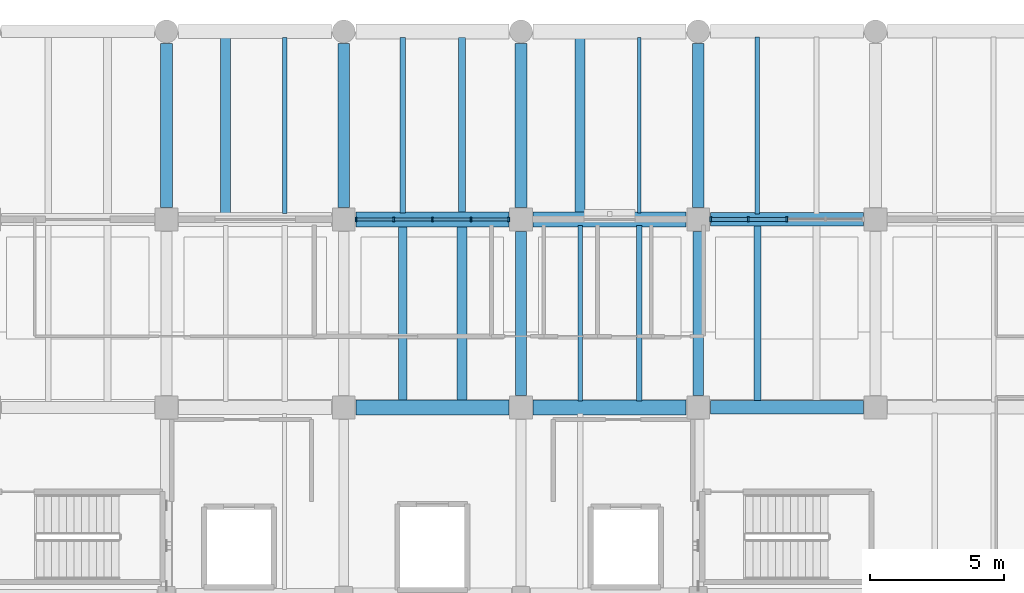
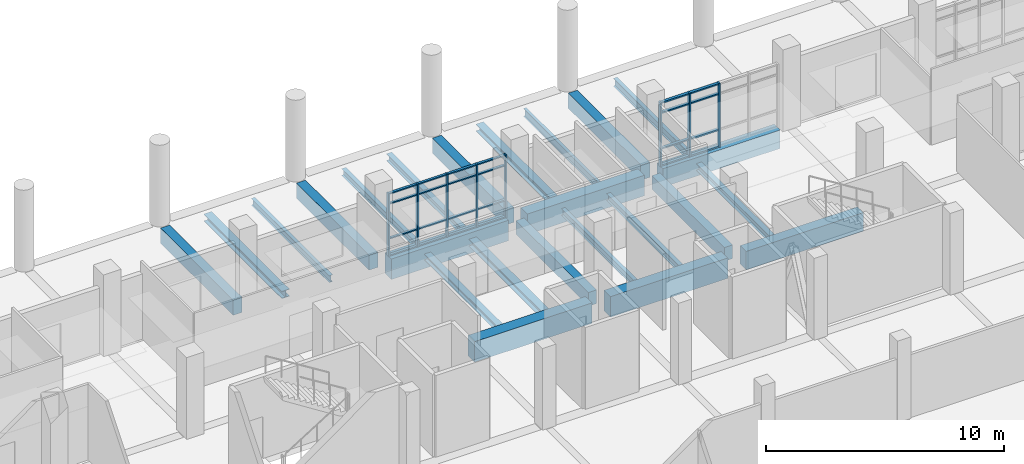
# One storey, part 29 of 69: 32 members, 24 beams, 2 elements without a shape of their own.
"""IFC4 building model written with IfcOpenShell, lengths in metres."""

from ifc_helpers import new_model, si_unit, direction, frame, origin, origin_2d, place, context, subcontext, project, spatial, rectangle, i_section, extrude, material, material_profile, profile_set, type_object, element, aggregate, save


model = new_model("IFC4")

# Units and contexts
model_context = context("Model", 3, precision=1e-05, world=origin(), true_north=direction((0.0, 1.0)))
body_context = subcontext(model_context, "Body", "Model", "MODEL_VIEW")
ifc_project = project(units=[si_unit("LENGTHUNIT", "METRE"), si_unit("AREAUNIT", "SQUARE_METRE"), si_unit("VOLUMEUNIT", "CUBIC_METRE"), si_unit("PLANEANGLEUNIT", "RADIAN"), si_unit("MASSUNIT", "GRAM", prefix="KILO")], contexts=[model_context])

# Site, building, storey
site_placement = place(None, origin())
site = spatial("IfcSite", under=ifc_project, at=site_placement, CompositionType="ELEMENT")
building_placement = place(site_placement, origin())
building = spatial("IfcBuilding", under=site, at=building_placement, Name="Ciguamira Faculty of Natural Sciences", CompositionType="ELEMENT")
storey_placement = place(building_placement, origin())
storey = spatial("IfcBuildingStorey", under=building, at=storey_placement, Name="L00", CompositionType="ELEMENT", Elevation=0.0)

# Curtain wall, members
ifc_material_1 = material(Name="Anodized aluminium curtain wall", Category="aluminium")
curtain_wall_type_1 = type_object("IfcCurtainWallType", Name="CurtainWall_CW-07", PredefinedType="USERDEFINED", material=ifc_material_1)
curtain_wall_1_placement = place(storey_placement, origin())
curtain_wall_1 = element("IfcCurtainWall", 1, at=curtain_wall_1_placement, inside=storey, type_object=curtain_wall_type_1, Name="L00 unitised curtain wall 0019", ObjectType="UNITISED CURTAIN WALL", PredefinedType="USERDEFINED")
ifc_material_2 = material(Name="Anodized aluminium mullion", Category="aluminium")
ifc_material_profile_1 = material_profile(ifc_material_2, rectangle(XDim=0.06005859375, YDim=0.159912109375, at=origin_2d()), Name="ALU-MUL-60X160")
ifc_profile_set_1 = profile_set([ifc_material_profile_1], Name="Anodized aluminium mullion")
member_type_1 = type_object("IfcMemberType", Name="CWMullion_CWM-01", PredefinedType="MULLION", material=ifc_profile_set_1)
member_1_placement = place(storey_placement, frame((84.155029296875, 108.0, 0.0), z_axis=(0.0, 0.0, 1.0), x_axis=(1.0, 0.0, 0.0)))
member_1 = element("IfcMember", 2, at=member_1_placement, type_object=member_type_1, Name="CW-07 mullion 1", PredefinedType="MULLION", context=body_context, shape_type="SweptSolid", body=[
    extrude(rectangle(XDim=0.06005859375, YDim=0.159912109375, at=origin_2d()), origin(), (0.0, 0.0, 1.0), 3.235107421875),
])
member_2_placement = place(storey_placement, frame((85.5625, 108.0, 0.0), z_axis=(0.0, 0.0, 1.0), x_axis=(1.0, 0.0, 0.0)))
member_2 = element("IfcMember", 3, at=member_2_placement, type_object=member_type_1, Name="CW-07 mullion 2", PredefinedType="MULLION", context=body_context, shape_type="SweptSolid", body=[
    extrude(rectangle(XDim=0.06005859375, YDim=0.159912109375, at=origin_2d()), origin(), (0.0, 0.0, 1.0), 3.235107421875),
])
member_3_placement = place(storey_placement, frame((87.0, 108.0, 0.0), z_axis=(0.0, 0.0, 1.0), x_axis=(1.0, 0.0, 0.0)))
member_3 = element("IfcMember", 4, at=member_3_placement, type_object=member_type_1, Name="CW-07 mullion 3", PredefinedType="MULLION", context=body_context, shape_type="SweptSolid", body=[
    extrude(rectangle(XDim=0.06005859375, YDim=0.159912109375, at=origin_2d()), origin(), (0.0, 0.0, 1.0), 3.235107421875),
])
member_4_placement = place(storey_placement, frame((88.4375, 108.0, 0.0), z_axis=(0.0, 0.0, 1.0), x_axis=(1.0, 0.0, 0.0)))
member_4 = element("IfcMember", 5, at=member_4_placement, type_object=member_type_1, Name="CW-07 mullion 4", PredefinedType="MULLION", context=body_context, shape_type="SweptSolid", body=[
    extrude(rectangle(XDim=0.06005859375, YDim=0.159912109375, at=origin_2d()), origin(), (0.0, 0.0, 1.0), 3.235107421875),
])
member_5_placement = place(storey_placement, frame((89.844970703125, 108.0, 0.0), z_axis=(0.0, 0.0, 1.0), x_axis=(1.0, 0.0, 0.0)))
member_5 = element("IfcMember", 6, at=member_5_placement, type_object=member_type_1, Name="CW-07 mullion 5", PredefinedType="MULLION", context=body_context, shape_type="SweptSolid", body=[
    extrude(rectangle(XDim=0.06005859375, YDim=0.159912109375, at=origin_2d()), origin(), (0.0, 0.0, 1.0), 3.235107421875),
])

curtain_wall_type_2 = type_object("IfcCurtainWallType", Name="CurtainWall_CW-08", PredefinedType="USERDEFINED", material=ifc_material_1)
curtain_wall_2_placement = place(storey_placement, origin())
curtain_wall_2 = element("IfcCurtainWall", 7, at=curtain_wall_2_placement, inside=storey, type_object=curtain_wall_type_2, Name="L00 unitised curtain wall 0020", ObjectType="UNITISED CURTAIN WALL", PredefinedType="USERDEFINED")
ifc_material_profile_2 = material_profile(ifc_material_2, rectangle(XDim=0.070068359375, YDim=0.179931640625, at=origin_2d()), Name="ALU-MUL-70X180")
ifc_profile_set_2 = profile_set([ifc_material_profile_2], Name="Anodized aluminium mullion")
member_type_2 = type_object("IfcMemberType", Name="CWMullion_CWM-02", PredefinedType="MULLION", material=ifc_profile_set_2)
member_6_placement = place(storey_placement, frame((97.360107421875, 108.0, 0.0), z_axis=(0.0, 0.0, 1.0), x_axis=(1.0, 0.0, 0.0)))
member_6 = element("IfcMember", 8, at=member_6_placement, type_object=member_type_2, Name="CW-08 mullion 1", PredefinedType="MULLION", context=body_context, shape_type="SweptSolid", body=[
    extrude(rectangle(XDim=0.070068359375, YDim=0.179931640625, at=origin_2d()), origin(), (0.0, 0.0, 1.0), 3.284912109375),
])
member_7_placement = place(storey_placement, frame((98.762451171875, 108.0, 0.0), z_axis=(0.0, 0.0, 1.0), x_axis=(1.0, 0.0, 0.0)))
member_7 = element("IfcMember", 9, at=member_7_placement, type_object=member_type_2, Name="CW-08 mullion 2", PredefinedType="MULLION", context=body_context, shape_type="SweptSolid", body=[
    extrude(rectangle(XDim=0.070068359375, YDim=0.179931640625, at=origin_2d()), origin(), (0.0, 0.0, 1.0), 3.284912109375),
])
member_8_placement = place(storey_placement, frame((100.199951171875, 108.0, 0.0), z_axis=(0.0, 0.0, 1.0), x_axis=(1.0, 0.0, 0.0)))
member_8 = element("IfcMember", 10, at=member_8_placement, type_object=member_type_2, Name="CW-08 mullion 3", PredefinedType="MULLION", context=body_context, shape_type="SweptSolid", body=[
    extrude(rectangle(XDim=0.070068359375, YDim=0.179931640625, at=origin_2d()), origin(), (0.0, 0.0, 1.0), 3.284912109375),
])

# Member
ifc_material_3 = material(Name="Anodized aluminium transom", Category="aluminium")
ifc_material_profile_3 = material_profile(ifc_material_3, rectangle(XDim=0.06005859375, YDim=0.1201171875, at=origin_2d()), Name="ALU-TRN-60X120")
ifc_profile_set_3 = profile_set([ifc_material_profile_3], Name="Anodized aluminium transom")
member_type_3 = type_object("IfcMemberType", Name="CWTransom_CWT-01", PredefinedType="USERDEFINED", material=ifc_profile_set_3)
member_9_placement = place(storey_placement, frame((84.18505859375, 108.0, 0.030029296875), z_axis=(1.0, 0.0, 0.0), x_axis=(0.0, 0.0, 1.0)))
member_9 = element("IfcMember", 11, at=member_9_placement, type_object=member_type_3, Name="CW-07 transom 1.1", ObjectType="TRANSOM", PredefinedType="USERDEFINED", context=body_context, shape_type="SweptSolid", body=[
    extrude(rectangle(XDim=0.06005859375, YDim=0.1201171875, at=origin_2d()), origin(), (0.0, 0.0, 1.0), 1.347412109375),
])

member_10_placement = place(storey_placement, frame((84.18505859375, 108.0, 0.89990234375), z_axis=(1.0, 0.0, 0.0), x_axis=(0.0, 0.0, 1.0)))
member_10 = element("IfcMember", 12, at=member_10_placement, type_object=member_type_3, Name="CW-07 transom 1.2", ObjectType="TRANSOM", PredefinedType="USERDEFINED", context=body_context, shape_type="SweptSolid", body=[
    extrude(rectangle(XDim=0.06005859375, YDim=0.1201171875, at=origin_2d()), origin(), (0.0, 0.0, 1.0), 1.347412109375),
])

member_11_placement = place(storey_placement, frame((84.18505859375, 108.0, 2.68505859375), z_axis=(1.0, 0.0, 0.0), x_axis=(0.0, 0.0, 1.0)))
member_11 = element("IfcMember", 13, at=member_11_placement, type_object=member_type_3, Name="CW-07 transom 1.3", ObjectType="TRANSOM", PredefinedType="USERDEFINED", context=body_context, shape_type="SweptSolid", body=[
    extrude(rectangle(XDim=0.06005859375, YDim=0.1201171875, at=origin_2d()), origin(), (0.0, 0.0, 1.0), 1.347412109375),
])

member_12_placement = place(storey_placement, frame((84.18505859375, 108.0, 3.205078125), z_axis=(1.0, 0.0, 0.0), x_axis=(0.0, 0.0, 1.0)))
member_12 = element("IfcMember", 14, at=member_12_placement, type_object=member_type_3, Name="CW-07 transom 1.4", ObjectType="TRANSOM", PredefinedType="USERDEFINED", context=body_context, shape_type="SweptSolid", body=[
    extrude(rectangle(XDim=0.06005859375, YDim=0.1201171875, at=origin_2d()), origin(), (0.0, 0.0, 1.0), 1.347412109375),
])

member_13_placement = place(storey_placement, frame((85.592529296875, 108.0, 0.030029296875), z_axis=(1.0, 0.0, 0.0), x_axis=(0.0, 0.0, 1.0)))
member_13 = element("IfcMember", 15, at=member_13_placement, type_object=member_type_3, Name="CW-07 transom 2.1", ObjectType="TRANSOM", PredefinedType="USERDEFINED", context=body_context, shape_type="SweptSolid", body=[
    extrude(rectangle(XDim=0.06005859375, YDim=0.1201171875, at=origin_2d()), origin(), (0.0, 0.0, 1.0), 1.37744140625),
])

member_14_placement = place(storey_placement, frame((85.592529296875, 108.0, 0.89990234375), z_axis=(1.0, 0.0, 0.0), x_axis=(0.0, 0.0, 1.0)))
member_14 = element("IfcMember", 16, at=member_14_placement, type_object=member_type_3, Name="CW-07 transom 2.2", ObjectType="TRANSOM", PredefinedType="USERDEFINED", context=body_context, shape_type="SweptSolid", body=[
    extrude(rectangle(XDim=0.06005859375, YDim=0.1201171875, at=origin_2d()), origin(), (0.0, 0.0, 1.0), 1.37744140625),
])

member_15_placement = place(storey_placement, frame((85.592529296875, 108.0, 2.68505859375), z_axis=(1.0, 0.0, 0.0), x_axis=(0.0, 0.0, 1.0)))
member_15 = element("IfcMember", 17, at=member_15_placement, type_object=member_type_3, Name="CW-07 transom 2.3", ObjectType="TRANSOM", PredefinedType="USERDEFINED", context=body_context, shape_type="SweptSolid", body=[
    extrude(rectangle(XDim=0.06005859375, YDim=0.1201171875, at=origin_2d()), origin(), (0.0, 0.0, 1.0), 1.37744140625),
])

member_16_placement = place(storey_placement, frame((85.592529296875, 108.0, 3.205078125), z_axis=(1.0, 0.0, 0.0), x_axis=(0.0, 0.0, 1.0)))
member_16 = element("IfcMember", 18, at=member_16_placement, type_object=member_type_3, Name="CW-07 transom 2.4", ObjectType="TRANSOM", PredefinedType="USERDEFINED", context=body_context, shape_type="SweptSolid", body=[
    extrude(rectangle(XDim=0.06005859375, YDim=0.1201171875, at=origin_2d()), origin(), (0.0, 0.0, 1.0), 1.37744140625),
])

member_17_placement = place(storey_placement, frame((87.030029296875, 108.0, 0.030029296875), z_axis=(1.0, 0.0, 0.0), x_axis=(0.0, 0.0, 1.0)))
member_17 = element("IfcMember", 19, at=member_17_placement, type_object=member_type_3, Name="CW-07 transom 3.1", ObjectType="TRANSOM", PredefinedType="USERDEFINED", context=body_context, shape_type="SweptSolid", body=[
    extrude(rectangle(XDim=0.06005859375, YDim=0.1201171875, at=origin_2d()), origin(), (0.0, 0.0, 1.0), 1.37744140625),
])

member_18_placement = place(storey_placement, frame((87.030029296875, 108.0, 0.89990234375), z_axis=(1.0, 0.0, 0.0), x_axis=(0.0, 0.0, 1.0)))
member_18 = element("IfcMember", 20, at=member_18_placement, type_object=member_type_3, Name="CW-07 transom 3.2", ObjectType="TRANSOM", PredefinedType="USERDEFINED", context=body_context, shape_type="SweptSolid", body=[
    extrude(rectangle(XDim=0.06005859375, YDim=0.1201171875, at=origin_2d()), origin(), (0.0, 0.0, 1.0), 1.37744140625),
])

member_19_placement = place(storey_placement, frame((87.030029296875, 108.0, 2.68505859375), z_axis=(1.0, 0.0, 0.0), x_axis=(0.0, 0.0, 1.0)))
member_19 = element("IfcMember", 21, at=member_19_placement, type_object=member_type_3, Name="CW-07 transom 3.3", ObjectType="TRANSOM", PredefinedType="USERDEFINED", context=body_context, shape_type="SweptSolid", body=[
    extrude(rectangle(XDim=0.06005859375, YDim=0.1201171875, at=origin_2d()), origin(), (0.0, 0.0, 1.0), 1.37744140625),
])

member_20_placement = place(storey_placement, frame((87.030029296875, 108.0, 3.205078125), z_axis=(1.0, 0.0, 0.0), x_axis=(0.0, 0.0, 1.0)))
member_20 = element("IfcMember", 22, at=member_20_placement, type_object=member_type_3, Name="CW-07 transom 3.4", ObjectType="TRANSOM", PredefinedType="USERDEFINED", context=body_context, shape_type="SweptSolid", body=[
    extrude(rectangle(XDim=0.06005859375, YDim=0.1201171875, at=origin_2d()), origin(), (0.0, 0.0, 1.0), 1.37744140625),
])

member_21_placement = place(storey_placement, frame((88.467529296875, 108.0, 0.030029296875), z_axis=(1.0, 0.0, 0.0), x_axis=(0.0, 0.0, 1.0)))
member_21 = element("IfcMember", 23, at=member_21_placement, type_object=member_type_3, Name="CW-07 transom 4.1", ObjectType="TRANSOM", PredefinedType="USERDEFINED", context=body_context, shape_type="SweptSolid", body=[
    extrude(rectangle(XDim=0.06005859375, YDim=0.1201171875, at=origin_2d()), origin(), (0.0, 0.0, 1.0), 1.347412109375),
])

member_22_placement = place(storey_placement, frame((88.467529296875, 108.0, 0.89990234375), z_axis=(1.0, 0.0, 0.0), x_axis=(0.0, 0.0, 1.0)))
member_22 = element("IfcMember", 24, at=member_22_placement, type_object=member_type_3, Name="CW-07 transom 4.2", ObjectType="TRANSOM", PredefinedType="USERDEFINED", context=body_context, shape_type="SweptSolid", body=[
    extrude(rectangle(XDim=0.06005859375, YDim=0.1201171875, at=origin_2d()), origin(), (0.0, 0.0, 1.0), 1.347412109375),
])

member_23_placement = place(storey_placement, frame((88.467529296875, 108.0, 2.68505859375), z_axis=(1.0, 0.0, 0.0), x_axis=(0.0, 0.0, 1.0)))
member_23 = element("IfcMember", 25, at=member_23_placement, type_object=member_type_3, Name="CW-07 transom 4.3", ObjectType="TRANSOM", PredefinedType="USERDEFINED", context=body_context, shape_type="SweptSolid", body=[
    extrude(rectangle(XDim=0.06005859375, YDim=0.1201171875, at=origin_2d()), origin(), (0.0, 0.0, 1.0), 1.347412109375),
])

member_24_placement = place(storey_placement, frame((88.467529296875, 108.0, 3.205078125), z_axis=(1.0, 0.0, 0.0), x_axis=(0.0, 0.0, 1.0)))
member_24 = element("IfcMember", 26, at=member_24_placement, type_object=member_type_3, Name="CW-07 transom 4.4", ObjectType="TRANSOM", PredefinedType="USERDEFINED", context=body_context, shape_type="SweptSolid", body=[
    extrude(rectangle(XDim=0.06005859375, YDim=0.1201171875, at=origin_2d()), origin(), (0.0, 0.0, 1.0), 1.347412109375),
])

aggregate(curtain_wall_1, [member_1, member_2, member_3, member_4, member_5, member_9, member_10, member_11, member_12, member_13, member_14, member_15, member_16, member_17, member_18, member_19, member_20, member_21, member_22, member_23, member_24])

ifc_material_profile_4 = material_profile(ifc_material_3, rectangle(XDim=0.070068359375, YDim=0.139892578125, at=origin_2d()), Name="ALU-TRN-70X140")
ifc_profile_set_4 = profile_set([ifc_material_profile_4], Name="Anodized aluminium transom")
member_type_4 = type_object("IfcMemberType", Name="CWTransom_CWT-02", PredefinedType="USERDEFINED", material=ifc_profile_set_4)
member_25_placement = place(storey_placement, frame((97.39501953125, 108.0, 0.034912109375), z_axis=(1.0, 0.0, 0.0), x_axis=(0.0, 0.0, 1.0)))
member_25 = element("IfcMember", 27, at=member_25_placement, type_object=member_type_4, Name="CW-08 transom 1.1", ObjectType="TRANSOM", PredefinedType="USERDEFINED", context=body_context, shape_type="SweptSolid", body=[
    extrude(rectangle(XDim=0.070068359375, YDim=0.139892578125, at=origin_2d()), origin(), (0.0, 0.0, 1.0), 1.33251953125),
])

member_26_placement = place(storey_placement, frame((97.39501953125, 108.0, 0.89990234375), z_axis=(1.0, 0.0, 0.0), x_axis=(0.0, 0.0, 1.0)))
member_26 = element("IfcMember", 28, at=member_26_placement, type_object=member_type_4, Name="CW-08 transom 1.2", ObjectType="TRANSOM", PredefinedType="USERDEFINED", context=body_context, shape_type="SweptSolid", body=[
    extrude(rectangle(XDim=0.070068359375, YDim=0.139892578125, at=origin_2d()), origin(), (0.0, 0.0, 1.0), 1.33251953125),
])

member_27_placement = place(storey_placement, frame((97.39501953125, 108.0, 2.735107421875), z_axis=(1.0, 0.0, 0.0), x_axis=(0.0, 0.0, 1.0)))
member_27 = element("IfcMember", 29, at=member_27_placement, type_object=member_type_4, Name="CW-08 transom 1.3", ObjectType="TRANSOM", PredefinedType="USERDEFINED", context=body_context, shape_type="SweptSolid", body=[
    extrude(rectangle(XDim=0.070068359375, YDim=0.139892578125, at=origin_2d()), origin(), (0.0, 0.0, 1.0), 1.33251953125),
])

member_28_placement = place(storey_placement, frame((97.39501953125, 108.0, 3.25), z_axis=(1.0, 0.0, 0.0), x_axis=(0.0, 0.0, 1.0)))
member_28 = element("IfcMember", 30, at=member_28_placement, type_object=member_type_4, Name="CW-08 transom 1.4", ObjectType="TRANSOM", PredefinedType="USERDEFINED", context=body_context, shape_type="SweptSolid", body=[
    extrude(rectangle(XDim=0.070068359375, YDim=0.139892578125, at=origin_2d()), origin(), (0.0, 0.0, 1.0), 1.33251953125),
])

member_29_placement = place(storey_placement, frame((98.797607421875, 108.0, 0.034912109375), z_axis=(1.0, 0.0, 0.0), x_axis=(0.0, 0.0, 1.0)))
member_29 = element("IfcMember", 31, at=member_29_placement, type_object=member_type_4, Name="CW-08 transom 2.1", ObjectType="TRANSOM", PredefinedType="USERDEFINED", context=body_context, shape_type="SweptSolid", body=[
    extrude(rectangle(XDim=0.070068359375, YDim=0.139892578125, at=origin_2d()), origin(), (0.0, 0.0, 1.0), 1.367431640625),
])

member_30_placement = place(storey_placement, frame((98.797607421875, 108.0, 0.89990234375), z_axis=(1.0, 0.0, 0.0), x_axis=(0.0, 0.0, 1.0)))
member_30 = element("IfcMember", 32, at=member_30_placement, type_object=member_type_4, Name="CW-08 transom 2.2", ObjectType="TRANSOM", PredefinedType="USERDEFINED", context=body_context, shape_type="SweptSolid", body=[
    extrude(rectangle(XDim=0.070068359375, YDim=0.139892578125, at=origin_2d()), origin(), (0.0, 0.0, 1.0), 1.367431640625),
])

member_31_placement = place(storey_placement, frame((98.797607421875, 108.0, 2.735107421875), z_axis=(1.0, 0.0, 0.0), x_axis=(0.0, 0.0, 1.0)))
member_31 = element("IfcMember", 33, at=member_31_placement, type_object=member_type_4, Name="CW-08 transom 2.3", ObjectType="TRANSOM", PredefinedType="USERDEFINED", context=body_context, shape_type="SweptSolid", body=[
    extrude(rectangle(XDim=0.070068359375, YDim=0.139892578125, at=origin_2d()), origin(), (0.0, 0.0, 1.0), 1.367431640625),
])

member_32_placement = place(storey_placement, frame((98.797607421875, 108.0, 3.25), z_axis=(1.0, 0.0, 0.0), x_axis=(0.0, 0.0, 1.0)))
member_32 = element("IfcMember", 34, at=member_32_placement, type_object=member_type_4, Name="CW-08 transom 2.4", ObjectType="TRANSOM", PredefinedType="USERDEFINED", context=body_context, shape_type="SweptSolid", body=[
    extrude(rectangle(XDim=0.070068359375, YDim=0.139892578125, at=origin_2d()), origin(), (0.0, 0.0, 1.0), 1.367431640625),
])

aggregate(curtain_wall_2, [member_6, member_7, member_8, member_25, member_26, member_27, member_28, member_29, member_30, member_31, member_32])

# Beams
ifc_material_4 = material(Name="Concrete C40/50", Category="concrete")
ifc_material_profile_5 = material_profile(ifc_material_4, rectangle(XDim=0.550048828125, YDim=1.050048828125, at=origin_2d()), Name="RC-BM-550X1050")
ifc_profile_set_5 = profile_set([ifc_material_profile_5], Name="Concrete C40/50")
beam_type_1 = type_object("IfcBeamType", Name="RCBeam_BG-01_RC-BM-550X1050", PredefinedType="BEAM", material=ifc_profile_set_5)
beam_1_placement = place(storey_placement, frame((84.14990234375, 101.0, -0.52490234375), z_axis=(1.0, 0.0, 0.0), x_axis=(0.0, 1.0, 0.0)))
element("IfcBeam", 35, at=beam_1_placement, inside=storey, type_object=beam_type_1, Name="L00 RC girder EW-0169", PredefinedType="BEAM", context=body_context, shape_type="SweptSolid", body=[
    extrude(rectangle(XDim=0.550048828125, YDim=1.050048828125, at=origin_2d()), origin(), (0.0, 0.0, 1.0), 5.7001953125),
])
beam_2_placement = place(storey_placement, frame((90.75, 101.0, -0.52490234375), z_axis=(1.0, 0.0, 0.0), x_axis=(0.0, 1.0, 0.0)))
element("IfcBeam", 36, at=beam_2_placement, inside=storey, type_object=beam_type_1, Name="L00 RC girder EW-0170", PredefinedType="BEAM", context=body_context, shape_type="SweptSolid", body=[
    extrude(rectangle(XDim=0.550048828125, YDim=1.050048828125, at=origin_2d()), origin(), (0.0, 0.0, 1.0), 5.699951171875),
])
beam_3_placement = place(storey_placement, frame((84.14990234375, 108.0, -0.52490234375), z_axis=(1.0, 0.0, 0.0), x_axis=(0.0, 1.0, 0.0)))
element("IfcBeam", 37, at=beam_3_placement, inside=storey, type_object=beam_type_1, Name="L00 RC girder EW-0178", PredefinedType="BEAM", context=body_context, shape_type="SweptSolid", body=[
    extrude(rectangle(XDim=0.550048828125, YDim=1.050048828125, at=origin_2d()), origin(), (0.0, 0.0, 1.0), 5.7001953125),
])
beam_4_placement = place(storey_placement, frame((90.75, 108.0, -0.52490234375), z_axis=(1.0, 0.0, 0.0), x_axis=(0.0, 1.0, 0.0)))
element("IfcBeam", 38, at=beam_4_placement, inside=storey, type_object=beam_type_1, Name="L00 RC girder EW-0179", PredefinedType="BEAM", context=body_context, shape_type="SweptSolid", body=[
    extrude(rectangle(XDim=0.550048828125, YDim=1.050048828125, at=origin_2d()), origin(), (0.0, 0.0, 1.0), 5.699951171875),
])
ifc_material_profile_6 = material_profile(ifc_material_4, rectangle(XDim=0.5, YDim=0.949951171875, at=origin_2d()), Name="RC-BM-500X950")
ifc_profile_set_6 = profile_set([ifc_material_profile_6], Name="Concrete C40/50")
beam_type_2 = type_object("IfcBeamType", Name="RCBeam_BG-02_RC-BM-500X950", PredefinedType="BEAM", material=ifc_profile_set_6)
for number, where, z_axis, x_axis, name in (
    (39, (97.35009765625, 101.0, -0.47509765625), (1.0, 0.0, 0.0), (0.0, 1.0, 0.0), "L00 RC girder EW-0171"),
    (40, (97.35009765625, 108.0, -0.47509765625), (1.0, 0.0, 0.0), (0.0, 1.0, 0.0), "L00 RC girder EW-0180"),
):
    element("IfcBeam", number, at=place(storey_placement, frame(where, z_axis=z_axis, x_axis=x_axis)), inside=storey, type_object=beam_type_2, Name=name, PredefinedType="BEAM", context=body_context, shape_type="SweptSolid", body=[
        extrude(rectangle(XDim=0.5, YDim=0.949951171875, at=origin_2d()), origin(), (0.0, 0.0, 1.0), 5.699951171875),
    ])
ifc_material_profile_7 = material_profile(ifc_material_4, rectangle(XDim=0.43994140625, YDim=0.780029296875, at=origin_2d()), Name="RC-BM-440X780")
ifc_profile_set_7 = profile_set([ifc_material_profile_7], Name="Concrete C40/50")
beam_type_3 = type_object("IfcBeamType", Name="RCBeam_BG-06_RC-BM-440X780", PredefinedType="BEAM", material=ifc_profile_set_7)
for number, where, z_axis, x_axis, name in (
    (41, (77.10009765625, 108.449951171875, -0.389892578125), (0.0, 1.0, 0.0), (-1.0, 0.0, 0.0), "L00 girder NS-0264"),
    (42, (83.699951171875, 108.449951171875, -0.389892578125), (0.0, 1.0, 0.0), (-1.0, 0.0, 0.0), "L00 girder NS-0276"),
    (43, (90.300048828125, 108.449951171875, -0.389892578125), (0.0, 1.0, 0.0), (-1.0, 0.0, 0.0), "L00 girder NS-0288"),
    (44, (96.89990234375, 108.449951171875, -0.389892578125), (0.0, 1.0, 0.0), (-1.0, 0.0, 0.0), "L00 girder NS-0299"),
):
    element("IfcBeam", number, at=place(storey_placement, frame(where, z_axis=z_axis, x_axis=x_axis)), inside=storey, type_object=beam_type_3, Name=name, PredefinedType="BEAM", context=body_context, shape_type="SweptSolid", body=[
        extrude(rectangle(XDim=0.43994140625, YDim=0.780029296875, at=origin_2d()), origin(), (0.0, 0.0, 1.0), 6.10009765625),
    ])
ifc_material_profile_8 = material_profile(ifc_material_4, rectangle(XDim=0.39990234375, YDim=0.699951171875, at=origin_2d()), Name="RC-BM-400X700")
ifc_profile_set_8 = profile_set([ifc_material_profile_8], Name="Concrete C40/50")
beam_type_4 = type_object("IfcBeamType", Name="RCBeam_BG-08_RC-BM-400X700", PredefinedType="BEAM", material=ifc_profile_set_8)
for number, where, z_axis, x_axis, name in (
    (45, (90.300048828125, 101.449951171875, -0.35009765625), (0.0, 1.0, 0.0), (-1.0, 0.0, 0.0), "L00 girder NS-0287"),
    (46, (96.89990234375, 101.449951171875, -0.35009765625), (0.0, 1.0, 0.0), (-1.0, 0.0, 0.0), "L00 girder NS-0298"),
):
    element("IfcBeam", number, at=place(storey_placement, frame(where, z_axis=z_axis, x_axis=x_axis)), inside=storey, type_object=beam_type_4, Name=name, PredefinedType="BEAM", context=body_context, shape_type="SweptSolid", body=[
        extrude(rectangle(XDim=0.39990234375, YDim=0.699951171875, at=origin_2d()), origin(), (0.0, 0.0, 1.0), 6.10009765625),
    ])
ifc_material_5 = material(Name="Steel ASTM A992 Grade 50", Category="steel")
ifc_material_profile_9 = material_profile(ifc_material_5, i_section(OverallWidth=0.3046875, OverallDepth=0.307373046875, WebThickness=0.010009765625, FlangeThickness=0.015380859375, at=origin_2d()), Name="W12X65")
ifc_profile_set_9 = profile_set([ifc_material_profile_9], Name="Steel ASTM A992 Grade 50")
beam_type_5 = type_object("IfcBeamType", Name="SteelJoist_SJ-08_W12X65", PredefinedType="JOIST", material=ifc_profile_set_9)
beam_5_placement = place(storey_placement, frame((85.89990234375, 101.235107421875, -0.45361328125), z_axis=(0.0, 1.0, 0.0), x_axis=(-1.0, 0.0, 0.0)))
element("IfcBeam", 47, at=beam_5_placement, inside=storey, type_object=beam_type_5, Name="L00 composite steel joist 00193", PredefinedType="JOIST", context=body_context, shape_type="SweptSolid", body=[
    extrude(i_section(OverallWidth=0.3046875, OverallDepth=0.307373046875, WebThickness=0.010009765625, FlangeThickness=0.015380859375, at=origin_2d()), origin(), (0.0, 0.0, 1.0), 6.52978515625),
])
ifc_material_profile_10 = material_profile(ifc_material_5, i_section(OverallWidth=0.370849609375, OverallDepth=0.36328125, WebThickness=0.013427734375, FlangeThickness=0.021728515625, at=origin_2d()), Name="W14X109")
ifc_profile_set_10 = profile_set([ifc_material_profile_10], Name="Steel ASTM A992 Grade 50")
beam_type_6 = type_object("IfcBeamType", Name="SteelJoist_SJ-09_W14X109", PredefinedType="JOIST", material=ifc_profile_set_10)
beam_6_placement = place(storey_placement, frame((88.10009765625, 101.235107421875, -0.481689453125), z_axis=(0.0, 1.0, 0.0), x_axis=(-1.0, 0.0, 0.0)))
element("IfcBeam", 48, at=beam_6_placement, inside=storey, type_object=beam_type_6, Name="L00 composite steel joist 00194", PredefinedType="JOIST", context=body_context, shape_type="SweptSolid", body=[
    extrude(i_section(OverallWidth=0.370849609375, OverallDepth=0.36328125, WebThickness=0.013427734375, FlangeThickness=0.021728515625, at=origin_2d()), origin(), (0.0, 0.0, 1.0), 6.52978515625),
])
ifc_material_profile_11 = material_profile(ifc_material_5, i_section(OverallWidth=0.373291015625, OverallDepth=0.373291015625, WebThickness=0.016357421875, FlangeThickness=0.026123046875, at=origin_2d()), Name="W14X132")
ifc_profile_set_11 = profile_set([ifc_material_profile_11], Name="Steel ASTM A992 Grade 50")
beam_type_7 = type_object("IfcBeamType", Name="SteelJoist_SJ-10_W14X132", PredefinedType="JOIST", material=ifc_profile_set_11)
beam_7_placement = place(storey_placement, frame((79.300048828125, 108.219970703125, -0.38671875), z_axis=(0.0, 1.0, 0.0), x_axis=(-1.0, 0.0, 0.0)))
element("IfcBeam", 49, at=beam_7_placement, inside=storey, type_object=beam_type_7, Name="L00 composite steel joist 00170", PredefinedType="JOIST", context=body_context, shape_type="SweptSolid", body=[
    extrude(i_section(OverallWidth=0.373291015625, OverallDepth=0.373291015625, WebThickness=0.016357421875, FlangeThickness=0.026123046875, at=origin_2d()), origin(), (0.0, 0.0, 1.0), 6.56005859375),
])
ifc_material_profile_12 = material_profile(ifc_material_5, i_section(OverallWidth=0.1708984375, OverallDepth=0.3505859375, WebThickness=0.0068359375, FlangeThickness=0.009765625, at=origin_2d()), Name="W14X30")
ifc_profile_set_12 = profile_set([ifc_material_profile_12], Name="Steel ASTM A992 Grade 50")
beam_type_8 = type_object("IfcBeamType", Name="SteelJoist_SJ-11_W14X30", PredefinedType="JOIST", material=ifc_profile_set_12)
beam_8_placement = place(storey_placement, frame((81.5, 108.219970703125, -0.375244140625), z_axis=(0.0, 1.0, 0.0), x_axis=(-1.0, 0.0, 0.0)))
element("IfcBeam", 50, at=beam_8_placement, inside=storey, type_object=beam_type_8, Name="L00 composite steel joist 00171", PredefinedType="JOIST", context=body_context, shape_type="SweptSolid", body=[
    extrude(i_section(OverallWidth=0.1708984375, OverallDepth=0.3505859375, WebThickness=0.0068359375, FlangeThickness=0.009765625, at=origin_2d()), origin(), (0.0, 0.0, 1.0), 6.56005859375),
])
beam_9_placement = place(storey_placement, frame((92.5, 101.235107421875, -0.475341796875), z_axis=(0.0, 1.0, 0.0), x_axis=(-1.0, 0.0, 0.0)))
element("IfcBeam", 51, at=beam_9_placement, inside=storey, type_object=beam_type_8, Name="L00 composite steel joist 00219", PredefinedType="JOIST", context=body_context, shape_type="SweptSolid", body=[
    extrude(i_section(OverallWidth=0.1708984375, OverallDepth=0.3505859375, WebThickness=0.0068359375, FlangeThickness=0.009765625, at=origin_2d()), origin(), (0.0, 0.0, 1.0), 6.52978515625),
])
ifc_material_profile_13 = material_profile(ifc_material_5, i_section(OverallWidth=0.203125, OverallDepth=0.347900390625, WebThickness=0.0078125, FlangeThickness=0.013427734375, at=origin_2d()), Name="W14X43")
ifc_profile_set_13 = profile_set([ifc_material_profile_13], Name="Steel ASTM A992 Grade 50")
beam_type_9 = type_object("IfcBeamType", Name="SteelJoist_SJ-12_W14X43", PredefinedType="JOIST", material=ifc_profile_set_13)
beam_10_placement = place(storey_placement, frame((94.699951171875, 101.235107421875, -0.47412109375), z_axis=(0.0, 1.0, 0.0), x_axis=(-1.0, 0.0, 0.0)))
element("IfcBeam", 52, at=beam_10_placement, inside=storey, type_object=beam_type_9, Name="L00 composite steel joist 00220", PredefinedType="JOIST", context=body_context, shape_type="SweptSolid", body=[
    extrude(i_section(OverallWidth=0.203125, OverallDepth=0.347900390625, WebThickness=0.0078125, FlangeThickness=0.013427734375, at=origin_2d()), origin(), (0.0, 0.0, 1.0), 6.52978515625),
])
ifc_material_profile_14 = material_profile(ifc_material_5, i_section(OverallWidth=0.204833984375, OverallDepth=0.35302734375, WebThickness=0.00927734375, FlangeThickness=0.016845703125, at=origin_2d()), Name="W14X53")
ifc_profile_set_14 = profile_set([ifc_material_profile_14], Name="Steel ASTM A992 Grade 50")
beam_type_10 = type_object("IfcBeamType", Name="SteelJoist_SJ-13_W14X53", PredefinedType="JOIST", material=ifc_profile_set_14)
beam_11_placement = place(storey_placement, frame((85.89990234375, 108.235107421875, -0.37646484375), z_axis=(0.0, 1.0, 0.0), x_axis=(-1.0, 0.0, 0.0)))
element("IfcBeam", 53, at=beam_11_placement, inside=storey, type_object=beam_type_10, Name="L00 composite steel joist 00195", PredefinedType="JOIST", context=body_context, shape_type="SweptSolid", body=[
    extrude(i_section(OverallWidth=0.204833984375, OverallDepth=0.35302734375, WebThickness=0.00927734375, FlangeThickness=0.016845703125, at=origin_2d()), origin(), (0.0, 0.0, 1.0), 6.52978515625),
])
ifc_material_profile_15 = material_profile(ifc_material_5, i_section(OverallWidth=0.25390625, OverallDepth=0.355712890625, WebThickness=0.010498046875, FlangeThickness=0.018310546875, at=origin_2d()), Name="W14X68")
ifc_profile_set_15 = profile_set([ifc_material_profile_15], Name="Steel ASTM A992 Grade 50")
beam_type_11 = type_object("IfcBeamType", Name="SteelJoist_SJ-14_W14X68", PredefinedType="JOIST", material=ifc_profile_set_15)
beam_12_placement = place(storey_placement, frame((88.10009765625, 108.235107421875, -0.377685546875), z_axis=(0.0, 1.0, 0.0), x_axis=(-1.0, 0.0, 0.0)))
element("IfcBeam", 54, at=beam_12_placement, inside=storey, type_object=beam_type_11, Name="L00 composite steel joist 00196", PredefinedType="JOIST", context=body_context, shape_type="SweptSolid", body=[
    extrude(i_section(OverallWidth=0.25390625, OverallDepth=0.355712890625, WebThickness=0.010498046875, FlangeThickness=0.018310546875, at=origin_2d()), origin(), (0.0, 0.0, 1.0), 6.52978515625),
])
beam_13_placement = place(storey_placement, frame((99.10009765625, 101.2099609375, -0.477783203125), z_axis=(0.0, 1.0, 0.0), x_axis=(-1.0, 0.0, 0.0)))
element("IfcBeam", 55, at=beam_13_placement, inside=storey, type_object=beam_type_11, Name="L00 composite steel joist 00244", PredefinedType="JOIST", context=body_context, shape_type="SweptSolid", body=[
    extrude(i_section(OverallWidth=0.25390625, OverallDepth=0.355712890625, WebThickness=0.010498046875, FlangeThickness=0.018310546875, at=origin_2d()), origin(), (0.0, 0.0, 1.0), 6.580078125),
])
ifc_material_profile_16 = material_profile(ifc_material_5, i_section(OverallWidth=0.368408203125, OverallDepth=0.355712890625, WebThickness=0.01123046875, FlangeThickness=0.01806640625, at=origin_2d()), Name="W14X90")
ifc_profile_set_16 = profile_set([ifc_material_profile_16], Name="Steel ASTM A992 Grade 50")
beam_type_12 = type_object("IfcBeamType", Name="SteelJoist_SJ-16_W14X90", PredefinedType="JOIST", material=ifc_profile_set_16)
beam_14_placement = place(storey_placement, frame((92.5, 108.235107421875, -0.377685546875), z_axis=(0.0, 1.0, 0.0), x_axis=(-1.0, 0.0, 0.0)))
element("IfcBeam", 56, at=beam_14_placement, inside=storey, type_object=beam_type_12, Name="L00 composite steel joist 00221", PredefinedType="JOIST", context=body_context, shape_type="SweptSolid", body=[
    extrude(i_section(OverallWidth=0.368408203125, OverallDepth=0.355712890625, WebThickness=0.01123046875, FlangeThickness=0.01806640625, at=origin_2d()), origin(), (0.0, 0.0, 1.0), 6.52978515625),
])
ifc_material_profile_17 = material_profile(ifc_material_5, i_section(OverallWidth=0.140380859375, OverallDepth=0.40380859375, WebThickness=0.007080078125, FlangeThickness=0.01123046875, at=origin_2d()), Name="W16X31")
ifc_profile_set_17 = profile_set([ifc_material_profile_17], Name="Steel ASTM A992 Grade 50")
beam_type_13 = type_object("IfcBeamType", Name="SteelJoist_SJ-17_W16X31", PredefinedType="JOIST", material=ifc_profile_set_17)
beam_15_placement = place(storey_placement, frame((94.699951171875, 108.235107421875, -0.40185546875), z_axis=(0.0, 1.0, 0.0), x_axis=(-1.0, 0.0, 0.0)))
element("IfcBeam", 57, at=beam_15_placement, inside=storey, type_object=beam_type_13, Name="L00 composite steel joist 00222", PredefinedType="JOIST", context=body_context, shape_type="SweptSolid", body=[
    extrude(i_section(OverallWidth=0.140380859375, OverallDepth=0.40380859375, WebThickness=0.007080078125, FlangeThickness=0.01123046875, at=origin_2d()), origin(), (0.0, 0.0, 1.0), 6.52978515625),
])
ifc_material_profile_18 = material_profile(ifc_material_5, i_section(OverallWidth=0.1787109375, OverallDepth=0.408935546875, WebThickness=0.0087890625, FlangeThickness=0.014404296875, at=origin_2d()), Name="W16X45")
ifc_profile_set_18 = profile_set([ifc_material_profile_18], Name="Steel ASTM A992 Grade 50")
beam_type_14 = type_object("IfcBeamType", Name="SteelJoist_SJ-19_W16X45", PredefinedType="JOIST", material=ifc_profile_set_18)
beam_16_placement = place(storey_placement, frame((99.10009765625, 108.2099609375, -0.404541015625), z_axis=(0.0, 1.0, 0.0), x_axis=(-1.0, 0.0, 0.0)))
element("IfcBeam", 58, at=beam_16_placement, inside=storey, type_object=beam_type_14, Name="L00 composite steel joist 00246", PredefinedType="JOIST", context=body_context, shape_type="SweptSolid", body=[
    extrude(i_section(OverallWidth=0.1787109375, OverallDepth=0.408935546875, WebThickness=0.0087890625, FlangeThickness=0.014404296875, at=origin_2d()), origin(), (0.0, 0.0, 1.0), 6.580078125),
])

save(model, "model.ifc")
